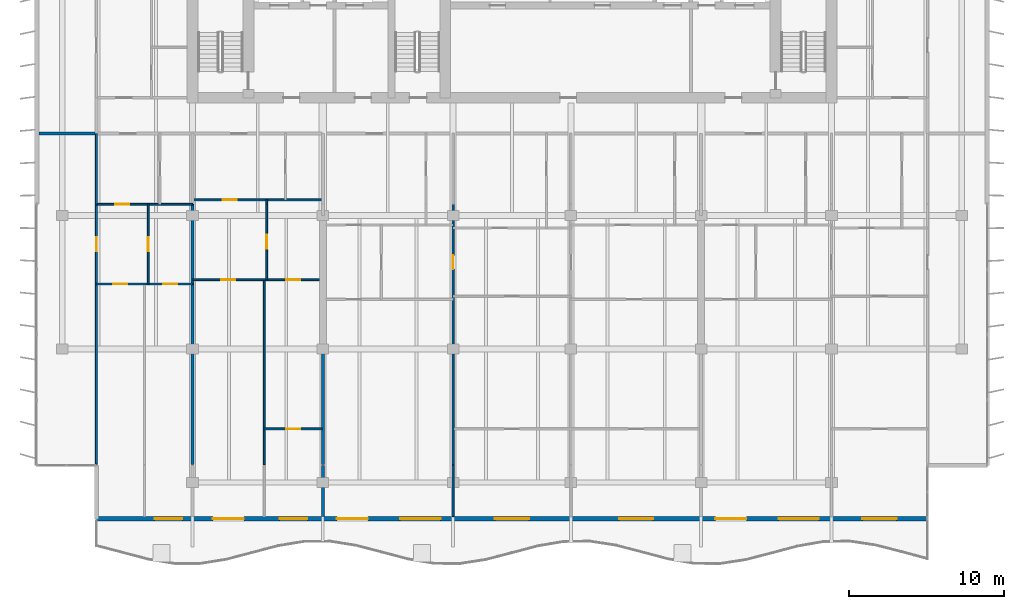
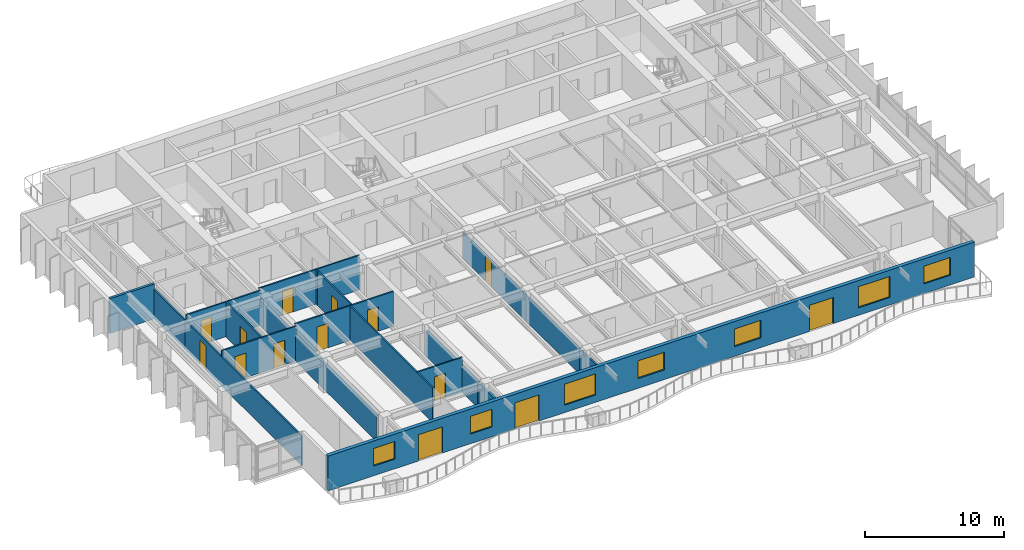
# One storey, part 6 of 16: 18 walls, 14 doors, 7 windows, 21 openings.
"""IFC4 building model written with IfcOpenShell, lengths in metres."""

from ifc_helpers import new_model, si_unit, direction, frame, frame_2d, origin, place, context, subcontext, project, spatial, rectangle, extrude, material, layer, layer_set, type_object, element, fill, save


model = new_model("IFC4")

# Units and contexts
model_context = context("Model", 3, precision=1e-05, world=origin(), true_north=direction((0.0, 1.0)))
body_context = subcontext(model_context, "Body", "Model", "MODEL_VIEW")
ifc_project = project(units=[si_unit("LENGTHUNIT", "METRE"), si_unit("AREAUNIT", "SQUARE_METRE"), si_unit("VOLUMEUNIT", "CUBIC_METRE"), si_unit("PLANEANGLEUNIT", "RADIAN"), si_unit("MASSUNIT", "GRAM", prefix="KILO")], contexts=[model_context])

# Site, building, storey
site_placement = place(None, origin())
site = spatial("IfcSite", under=ifc_project, at=site_placement, CompositionType="ELEMENT")
building_placement = place(site_placement, origin())
building = spatial("IfcBuilding", under=site, at=building_placement, Name="Caelmar Bay Residences", CompositionType="ELEMENT")
storey_placement = place(building_placement, frame((0.0, 0.0, 249.60009765625)))
storey = spatial("IfcBuildingStorey", under=building, at=storey_placement, Name="L70", CompositionType="ELEMENT", Elevation=249.60009765625)

# Wall, openings, doors, windows
ifc_material_1 = material(Name="Precast concrete f'c 40 MPa (6,000 psi)", Category="concrete")
ifc_layer_1 = layer(ifc_material_1, 0.300048828125)
ifc_layer_set_1 = layer_set([ifc_layer_1], Name="Precast concrete f'c 40 MPa (6,000 psi)")
wall_type_1 = type_object("IfcWallType", Name="W-EXT-300", PredefinedType="STANDARD", material=ifc_layer_set_1)
wall_1_placement = place(storey_placement, frame((65.699951171875, 9.85009765625, 0.0), z_axis=(0.0, 0.0, 1.0), x_axis=(-1.0, 0.0, 0.0)))
wall_1 = element("IfcWall", 1, at=wall_1_placement, inside=storey, type_object=wall_type_1, Name="L70 South Bayfront Exterior Wall", PredefinedType="STANDARD", context=body_context, shape_type="SweptSolid", body=[
    extrude(rectangle(XDim=53.599853515625, YDim=0.300048828125, at=frame_2d((26.7998046875, 0.0))), origin(), (0.0, 0.0, 1.0), 3.0498046875),
])
opening_1_placement = place(wall_1_placement, frame((48.050048828125, 0.0, 0.85009765625)))
opening_1 = element("IfcOpeningElement", 2, at=opening_1_placement, cuts=wall_1, Name="Opening WN1", PredefinedType="OPENING", context=body_context, shape_type="SweptSolid", body=[
    extrude(rectangle(XDim=1.800048828125, YDim=1.550048828125, at=frame_2d((0.89990234375, 0.77490234375))), frame((0.0, 0.159912109375, 0.0), z_axis=(0.0, -1.0, 0.0), x_axis=(1.0, 0.0, 0.0)), (0.0, 0.0, 1.0), 0.320068359375),
])
opening_2_placement = place(wall_1_placement, frame((44.090087890625, 0.0, 0.0)))
opening_2 = element("IfcOpeningElement", 3, at=opening_2_placement, cuts=wall_1, Name="Opening L70-BD01", PredefinedType="OPENING", context=body_context, shape_type="SweptSolid", body=[
    extrude(rectangle(XDim=2.0, YDim=2.300048828125, at=frame_2d((1.0, 1.14990234375))), frame((0.0, 0.159912109375, 0.0), z_axis=(0.0, -1.0, 0.0), x_axis=(1.0, 0.0, 0.0)), (0.0, 0.0, 1.0), 0.320068359375),
])
opening_3_placement = place(wall_1_placement, frame((39.989990234375, 0.0, 0.85009765625)))
opening_3 = element("IfcOpeningElement", 4, at=opening_3_placement, cuts=wall_1, Name="Opening WN1", PredefinedType="OPENING", context=body_context, shape_type="SweptSolid", body=[
    extrude(rectangle(XDim=1.800048828125, YDim=1.550048828125, at=frame_2d((0.89990234375, 0.77490234375))), frame((0.0, 0.159912109375, 0.0), z_axis=(0.0, -1.0, 0.0), x_axis=(1.0, 0.0, 0.0)), (0.0, 0.0, 1.0), 0.320068359375),
])
opening_4_placement = place(wall_1_placement, frame((36.090087890625, 0.0, 0.0)))
opening_4 = element("IfcOpeningElement", 5, at=opening_4_placement, cuts=wall_1, Name="Opening L70-BD02", PredefinedType="OPENING", context=body_context, shape_type="SweptSolid", body=[
    extrude(rectangle(XDim=2.0, YDim=2.300048828125, at=frame_2d((1.0, 1.14990234375))), frame((0.0, 0.159912109375, 0.0), z_axis=(0.0, -1.0, 0.0), x_axis=(1.0, 0.0, 0.0)), (0.0, 0.0, 1.0), 0.320068359375),
])
opening_5_placement = place(wall_1_placement, frame((31.409912109375, 0.0, 0.64990234375)))
opening_5 = element("IfcOpeningElement", 6, at=opening_5_placement, cuts=wall_1, Name="Opening WN3", PredefinedType="OPENING", context=body_context, shape_type="SweptSolid", body=[
    extrude(rectangle(XDim=2.60009765625, YDim=1.85009765625, at=frame_2d((1.300048828125, 0.925048828125))), frame((0.0, 0.159912109375, 0.0), z_axis=(0.0, -1.0, 0.0), x_axis=(1.0, 0.0, 0.0)), (0.0, 0.0, 1.0), 0.320068359375),
])
opening_6_placement = place(wall_1_placement, frame((25.699951171875, 0.0, 0.85009765625)))
opening_6 = element("IfcOpeningElement", 7, at=opening_6_placement, cuts=wall_1, Name="Opening WN2", PredefinedType="OPENING", context=body_context, shape_type="SweptSolid", body=[
    extrude(rectangle(XDim=2.199951171875, YDim=1.550048828125, at=frame_2d((1.10009765625, 0.77490234375))), frame((0.0, 0.159912109375, 0.0), z_axis=(0.0, -1.0, 0.0), x_axis=(1.0, 0.0, 0.0)), (0.0, 0.0, 1.0), 0.320068359375),
])
opening_7_placement = place(wall_1_placement, frame((17.699951171875, 0.0, 0.85009765625)))
opening_7 = element("IfcOpeningElement", 8, at=opening_7_placement, cuts=wall_1, Name="Opening WN2", PredefinedType="OPENING", context=body_context, shape_type="SweptSolid", body=[
    extrude(rectangle(XDim=2.199951171875, YDim=1.550048828125, at=frame_2d((1.10009765625, 0.77490234375))), frame((0.0, 0.159912109375, 0.0), z_axis=(0.0, -1.0, 0.0), x_axis=(1.0, 0.0, 0.0)), (0.0, 0.0, 1.0), 0.320068359375),
])
opening_8_placement = place(wall_1_placement, frame((11.68994140625, 0.0, 0.0)))
opening_8 = element("IfcOpeningElement", 9, at=opening_8_placement, cuts=wall_1, Name="Opening L70-BD03", PredefinedType="OPENING", context=body_context, shape_type="SweptSolid", body=[
    extrude(rectangle(XDim=2.0, YDim=2.300048828125, at=frame_2d((1.0, 1.14990234375))), frame((0.0, 0.159912109375, 0.0), z_axis=(0.0, -1.0, 0.0), x_axis=(1.0, 0.0, 0.0)), (0.0, 0.0, 1.0), 0.320068359375),
])
opening_9_placement = place(wall_1_placement, frame((7.010009765625, 0.0, 0.64990234375)))
opening_9 = element("IfcOpeningElement", 10, at=opening_9_placement, cuts=wall_1, Name="Opening WN3", PredefinedType="OPENING", context=body_context, shape_type="SweptSolid", body=[
    extrude(rectangle(XDim=2.60009765625, YDim=1.85009765625, at=frame_2d((1.300048828125, 0.925048828125))), frame((0.0, 0.159912109375, 0.0), z_axis=(0.0, -1.0, 0.0), x_axis=(1.0, 0.0, 0.0)), (0.0, 0.0, 1.0), 0.320068359375),
])
opening_10_placement = place(wall_1_placement, frame((2.0, 0.0, 0.85009765625)))
opening_10 = element("IfcOpeningElement", 11, at=opening_10_placement, cuts=wall_1, Name="Opening WN2", PredefinedType="OPENING", context=body_context, shape_type="SweptSolid", body=[
    extrude(rectangle(XDim=2.199951171875, YDim=1.550048828125, at=frame_2d((1.10009765625, 0.77490234375))), frame((0.0, 0.159912109375, 0.0), z_axis=(0.0, -1.0, 0.0), x_axis=(1.0, 0.0, 0.0)), (0.0, 0.0, 1.0), 0.320068359375),
])
ifc_material_2 = material(Name="Anodised bronze thermally broken sliding glass door", Category="glass")
ifc_layer_2 = layer(ifc_material_2, 0.050048828125)
ifc_layer_set_2 = layer_set([ifc_layer_2], Name="Anodised bronze thermally broken sliding glass door")
door_type_1 = type_object("IfcDoorType", Name="D-BAL-2000", OperationType="DOUBLE_DOOR_SLIDING", PredefinedType="DOOR", material=ifc_layer_set_2)
door_1_placement = place(opening_2_placement, origin())
door_1 = element("IfcDoor", 12, at=door_1_placement, inside=storey, type_object=door_type_1, Name="L70 Residence 02 Living Room Balcony Door", OperationType="DOUBLE_DOOR_SLIDING", OverallHeight=2.300048828125, OverallWidth=2.0, PredefinedType="DOOR", context=body_context, shape_type="SweptSolid", body=[
    extrude(rectangle(XDim=2.0, YDim=2.300048828125, at=frame_2d((1.0, 1.14990234375))), frame((0.0, 0.02490234375, 0.0), z_axis=(0.0, -1.0, 0.0), x_axis=(1.0, 0.0, 0.0)), (0.0, 0.0, 1.0), 0.050048828125),
])
fill(opening_2, door_1)
door_2_placement = place(opening_4_placement, origin())
door_2 = element("IfcDoor", 13, at=door_2_placement, inside=storey, type_object=door_type_1, Name="L70 Residence 03 Penthouse Living Salon Balcony Door", OperationType="DOUBLE_DOOR_SLIDING", OverallHeight=2.300048828125, OverallWidth=2.0, PredefinedType="DOOR", context=body_context, shape_type="SweptSolid", body=[
    extrude(rectangle(XDim=2.0, YDim=2.300048828125, at=frame_2d((1.0, 1.14990234375))), frame((0.0, 0.02490234375, 0.0), z_axis=(0.0, -1.0, 0.0), x_axis=(1.0, 0.0, 0.0)), (0.0, 0.0, 1.0), 0.050048828125),
])
fill(opening_4, door_2)
door_3_placement = place(opening_8_placement, origin())
door_3 = element("IfcDoor", 14, at=door_3_placement, inside=storey, type_object=door_type_1, Name="L70 Residence 04 Penthouse Living Salon Balcony Door", OperationType="DOUBLE_DOOR_SLIDING", OverallHeight=2.300048828125, OverallWidth=2.0, PredefinedType="DOOR", context=body_context, shape_type="SweptSolid", body=[
    extrude(rectangle(XDim=2.0, YDim=2.300048828125, at=frame_2d((1.0, 1.14990234375))), frame((0.0, 0.02490234375, 0.0), z_axis=(0.0, -1.0, 0.0), x_axis=(1.0, 0.0, 0.0)), (0.0, 0.0, 1.0), 0.050048828125),
])
fill(opening_8, door_3)
ifc_material_3 = material(Name="Bronze aluminium frame with laminated low-E glass", Category="aluminium")
ifc_layer_3 = layer(ifc_material_3, 0.06005859375)
ifc_layer_set_3 = layer_set([ifc_layer_3], Name="Bronze aluminium frame with laminated low-E glass")
window_type_1 = type_object("IfcWindowType", Name="WIN-BR-1800", PartitioningType="SINGLE_PANEL", PredefinedType="WINDOW", material=ifc_layer_set_3)
window_1_placement = place(opening_1_placement, origin())
window_1 = element("IfcWindow", 15, at=window_1_placement, inside=storey, type_object=window_type_1, Name="L70 Residence 01 Primary Bedroom Window", OverallHeight=1.550048828125, OverallWidth=1.800048828125, PartitioningType="SINGLE_PANEL", PredefinedType="WINDOW", context=body_context, shape_type="SweptSolid", body=[
    extrude(rectangle(XDim=1.800048828125, YDim=1.550048828125, at=frame_2d((0.89990234375, 0.77490234375))), frame((0.0, 0.030029296875, 0.0), z_axis=(0.0, -1.0, 0.0), x_axis=(1.0, 0.0, 0.0)), (0.0, 0.0, 1.0), 0.06005859375),
])
fill(opening_1, window_1)
window_2_placement = place(opening_3_placement, origin())
window_2 = element("IfcWindow", 16, at=window_2_placement, inside=storey, type_object=window_type_1, Name="L70 Residence 02 Primary Bedroom Window", OverallHeight=1.550048828125, OverallWidth=1.800048828125, PartitioningType="SINGLE_PANEL", PredefinedType="WINDOW", context=body_context, shape_type="SweptSolid", body=[
    extrude(rectangle(XDim=1.800048828125, YDim=1.550048828125, at=frame_2d((0.89990234375, 0.77490234375))), frame((0.0, 0.030029296875, 0.0), z_axis=(0.0, -1.0, 0.0), x_axis=(1.0, 0.0, 0.0)), (0.0, 0.0, 1.0), 0.06005859375),
])
fill(opening_3, window_2)
ifc_layer_4 = layer(ifc_material_3, 0.06005859375)
ifc_layer_set_4 = layer_set([ifc_layer_4], Name="Bronze aluminium frame with laminated low-E glass")
window_type_2 = type_object("IfcWindowType", Name="WIN-BR-2200", PartitioningType="SINGLE_PANEL", PredefinedType="WINDOW", material=ifc_layer_set_4)
window_3_placement = place(opening_6_placement, origin())
window_3 = element("IfcWindow", 17, at=window_3_placement, inside=storey, type_object=window_type_2, Name="L70 Residence 03 Primary Bedroom 1 Window", OverallHeight=1.550048828125, OverallWidth=2.199951171875, PartitioningType="SINGLE_PANEL", PredefinedType="WINDOW", context=body_context, shape_type="SweptSolid", body=[
    extrude(rectangle(XDim=2.199951171875, YDim=1.550048828125, at=frame_2d((1.10009765625, 0.77490234375))), frame((0.0, 0.030029296875, 0.0), z_axis=(0.0, -1.0, 0.0), x_axis=(1.0, 0.0, 0.0)), (0.0, 0.0, 1.0), 0.06005859375),
])
fill(opening_6, window_3)
window_4_placement = place(opening_7_placement, origin())
window_4 = element("IfcWindow", 18, at=window_4_placement, inside=storey, type_object=window_type_2, Name="L70 Residence 03 Primary Bedroom 2 Window", OverallHeight=1.550048828125, OverallWidth=2.199951171875, PartitioningType="SINGLE_PANEL", PredefinedType="WINDOW", context=body_context, shape_type="SweptSolid", body=[
    extrude(rectangle(XDim=2.199951171875, YDim=1.550048828125, at=frame_2d((1.10009765625, 0.77490234375))), frame((0.0, 0.030029296875, 0.0), z_axis=(0.0, -1.0, 0.0), x_axis=(1.0, 0.0, 0.0)), (0.0, 0.0, 1.0), 0.06005859375),
])
fill(opening_7, window_4)
window_5_placement = place(opening_10_placement, origin())
window_5 = element("IfcWindow", 19, at=window_5_placement, inside=storey, type_object=window_type_2, Name="L70 Residence 04 Primary Bedroom 1 Window", OverallHeight=1.550048828125, OverallWidth=2.199951171875, PartitioningType="SINGLE_PANEL", PredefinedType="WINDOW", context=body_context, shape_type="SweptSolid", body=[
    extrude(rectangle(XDim=2.199951171875, YDim=1.550048828125, at=frame_2d((1.10009765625, 0.77490234375))), frame((0.0, 0.030029296875, 0.0), z_axis=(0.0, -1.0, 0.0), x_axis=(1.0, 0.0, 0.0)), (0.0, 0.0, 1.0), 0.06005859375),
])
fill(opening_10, window_5)
ifc_layer_5 = layer(ifc_material_3, 0.06005859375)
ifc_layer_set_5 = layer_set([ifc_layer_5], Name="Bronze aluminium frame with laminated low-E glass")
window_type_3 = type_object("IfcWindowType", Name="WIN-LIV-2600", PartitioningType="SINGLE_PANEL", PredefinedType="WINDOW", material=ifc_layer_set_5)
window_6_placement = place(opening_5_placement, origin())
window_6 = element("IfcWindow", 20, at=window_6_placement, inside=storey, type_object=window_type_3, Name="L70 Residence 03 Penthouse Living Salon Panoramic Window", OverallHeight=1.85009765625, OverallWidth=2.60009765625, PartitioningType="SINGLE_PANEL", PredefinedType="WINDOW", context=body_context, shape_type="SweptSolid", body=[
    extrude(rectangle(XDim=2.60009765625, YDim=1.85009765625, at=frame_2d((1.300048828125, 0.925048828125))), frame((0.0, 0.030029296875, 0.0), z_axis=(0.0, -1.0, 0.0), x_axis=(1.0, 0.0, 0.0)), (0.0, 0.0, 1.0), 0.06005859375),
])
fill(opening_5, window_6)
window_7_placement = place(opening_9_placement, origin())
window_7 = element("IfcWindow", 21, at=window_7_placement, inside=storey, type_object=window_type_3, Name="L70 Residence 04 Penthouse Living Salon Panoramic Window", OverallHeight=1.85009765625, OverallWidth=2.60009765625, PartitioningType="SINGLE_PANEL", PredefinedType="WINDOW", context=body_context, shape_type="SweptSolid", body=[
    extrude(rectangle(XDim=2.60009765625, YDim=1.85009765625, at=frame_2d((1.300048828125, 0.925048828125))), frame((0.0, 0.030029296875, 0.0), z_axis=(0.0, -1.0, 0.0), x_axis=(1.0, 0.0, 0.0)), (0.0, 0.0, 1.0), 0.06005859375),
])
fill(opening_9, window_7)

# Wall, opening, door
ifc_material_4 = material(Name="Acoustic metal-stud gypsum partition 120 mm")
ifc_layer_6 = layer(ifc_material_4, 0.1201171875)
ifc_layer_set_6 = layer_set([ifc_layer_6], Name="Acoustic metal-stud gypsum partition 120 mm")
wall_type_2 = type_object("IfcWallType", Name="W-PRT-120", PredefinedType="PARTITIONING", material=ifc_layer_set_6)
wall_2_placement = place(storey_placement, frame((12.10009765625, 13.385009765625, 0.0), z_axis=(0.0, 0.0, 1.0), x_axis=(0.0, 1.0, 0.0)))
wall_2 = element("IfcWall", 22, at=wall_2_placement, inside=storey, type_object=wall_type_2, Name="L70 Partition Wall V001", PredefinedType="PARTITIONING", context=body_context, shape_type="SweptSolid", body=[
    extrude(rectangle(XDim=16.7548828125, YDim=0.1201171875, at=frame_2d((8.37744140625, 0.0))), origin(), (0.0, 0.0, 1.0), 2.577880859375),
])
opening_11_placement = place(wall_2_placement, frame((13.72998046875, 0.0, 0.0)))
opening_11 = element("IfcOpeningElement", 23, at=opening_11_placement, cuts=wall_2, Name="Opening D-L70-162", PredefinedType="OPENING", context=body_context, shape_type="SweptSolid", body=[
    extrude(rectangle(XDim=0.89990234375, YDim=2.14990234375, at=frame_2d((0.449951171875, 1.074951171875))), frame((0.0, 0.070068359375, 0.0), z_axis=(0.0, -1.0, 0.0), x_axis=(1.0, 0.0, 0.0)), (0.0, 0.0, 1.0), 0.14013671875),
])
ifc_material_5 = material(Name="Solid walnut timber interior door leaf and frame", Category="wood")
ifc_layer_7 = layer(ifc_material_5, 0.050048828125)
ifc_layer_set_7 = layer_set([ifc_layer_7], Name="Solid walnut timber interior door leaf and frame")
door_type_2 = type_object("IfcDoorType", Name="D-ROOM-900", OperationType="NOTDEFINED", PredefinedType="DOOR", material=ifc_layer_set_7)
door_4_placement = place(opening_11_placement, origin())
door_4 = element("IfcDoor", 24, at=door_4_placement, inside=storey, type_object=door_type_2, Name="L70 Residence 01 Penthouse West Salon Door", OperationType="SINGLE_SWING_RIGHT", OverallHeight=2.14990234375, OverallWidth=0.89990234375, PredefinedType="DOOR", context=body_context, shape_type="SweptSolid", body=[
    extrude(rectangle(XDim=0.89990234375, YDim=2.14990234375, at=frame_2d((0.449951171875, 1.074951171875))), frame((0.0, 0.02490234375, 0.0), z_axis=(0.0, -1.0, 0.0), x_axis=(1.0, 0.0, 0.0)), (0.0, 0.0, 1.0), 0.050048828125),
])
fill(opening_11, door_4)

# Wall
wall_3_placement = place(storey_placement, frame((12.10009765625, 30.14990234375, 0.0), z_axis=(0.0, 0.0, 1.0), x_axis=(0.0, 1.0, 0.0)))
element("IfcWall", 25, at=wall_3_placement, inside=storey, type_object=wall_type_2, Name="L70 Partition Wall V002", PredefinedType="PARTITIONING", context=body_context, shape_type="SweptSolid", body=[
    extrude(rectangle(XDim=4.550048828125, YDim=0.1201171875, at=frame_2d((2.27490234375, 0.0))), origin(), (0.0, 0.0, 1.0), 2.577880859375),
])

# Wall, opening, door
wall_4_placement = place(storey_placement, frame((15.447998046875, 24.989990234375, 0.0), z_axis=(0.0, 0.0, 1.0), x_axis=(0.0, 1.0, 0.0)))
wall_4 = element("IfcWall", 26, at=wall_4_placement, inside=storey, type_object=wall_type_2, Name="L70 Partition Wall V007", PredefinedType="PARTITIONING", context=body_context, shape_type="SweptSolid", body=[
    extrude(rectangle(XDim=5.14990234375, YDim=0.1201171875, at=frame_2d((2.574951171875, 0.0))), origin(), (0.0, 0.0, 1.0), 3.0498046875),
])
opening_12_placement = place(wall_4_placement, frame((2.125, 0.0, 0.0)))
opening_12 = element("IfcOpeningElement", 27, at=opening_12_placement, cuts=wall_4, Name="Opening D-L70-127", PredefinedType="OPENING", context=body_context, shape_type="SweptSolid", body=[
    extrude(rectangle(XDim=0.89990234375, YDim=2.14990234375, at=frame_2d((0.449951171875, 1.074951171875))), frame((0.0, 0.070068359375, 0.0), z_axis=(0.0, -1.0, 0.0), x_axis=(1.0, 0.0, 0.0)), (0.0, 0.0, 1.0), 0.14013671875),
])
door_5_placement = place(opening_12_placement, origin())
door_5 = element("IfcDoor", 28, at=door_5_placement, inside=storey, type_object=door_type_2, Name="L70 Residence 01 Private Meeting Room Door", OperationType="SINGLE_SWING_LEFT", OverallHeight=2.14990234375, OverallWidth=0.89990234375, PredefinedType="DOOR", context=body_context, shape_type="SweptSolid", body=[
    extrude(rectangle(XDim=0.89990234375, YDim=2.14990234375, at=frame_2d((0.449951171875, 1.074951171875))), frame((0.0, 0.02490234375, 0.0), z_axis=(0.0, -1.0, 0.0), x_axis=(1.0, 0.0, 0.0)), (0.0, 0.0, 1.0), 0.050048828125),
])
fill(opening_12, door_5)

# Wall
wall_5_placement = place(storey_placement, frame((22.919921875, 13.340087890625, 0.0), z_axis=(0.0, 0.0, 1.0), x_axis=(0.0, 1.0, 0.0)))
element("IfcWall", 29, at=wall_5_placement, inside=storey, type_object=wall_type_2, Name="L70 Partition Wall V015", PredefinedType="PARTITIONING", context=body_context, shape_type="SweptSolid", body=[
    extrude(rectangle(XDim=11.929931640625, YDim=0.1201171875, at=frame_2d((5.96484375, 0.0))), origin(), (0.0, 0.0, 1.0), 3.0498046875),
])

# Wall, opening, door
wall_6_placement = place(storey_placement, frame((23.0859375, 25.27490234375, 0.0), z_axis=(0.0, 0.0, 1.0), x_axis=(0.0, 1.0, 0.0)))
wall_6 = element("IfcWall", 30, at=wall_6_placement, inside=storey, type_object=wall_type_2, Name="L70 Partition Wall V016", PredefinedType="PARTITIONING", context=body_context, shape_type="SweptSolid", body=[
    extrude(rectangle(XDim=4.864990234375, YDim=0.1201171875, at=frame_2d((2.4326171875, 0.0))), origin(), (0.0, 0.0, 1.0), 3.0498046875),
])
opening_13_placement = place(wall_6_placement, frame((1.982421875, 0.0, 0.0)))
opening_13 = element("IfcOpeningElement", 31, at=opening_13_placement, cuts=wall_6, Name="Opening D-L70-133", PredefinedType="OPENING", context=body_context, shape_type="SweptSolid", body=[
    extrude(rectangle(XDim=0.89990234375, YDim=2.14990234375, at=frame_2d((0.449951171875, 1.074951171875))), frame((0.0, 0.070068359375, 0.0), z_axis=(0.0, -1.0, 0.0), x_axis=(1.0, 0.0, 0.0)), (0.0, 0.0, 1.0), 0.14013671875),
])
door_6_placement = place(opening_13_placement, origin())
door_6 = element("IfcDoor", 32, at=door_6_placement, inside=storey, type_object=door_type_2, Name="L70 Residence 02 Private Meeting Room Door", OperationType="SINGLE_SWING_LEFT", OverallHeight=2.14990234375, OverallWidth=0.89990234375, PredefinedType="DOOR", context=body_context, shape_type="SweptSolid", body=[
    extrude(rectangle(XDim=0.89990234375, YDim=2.14990234375, at=frame_2d((0.449951171875, 1.074951171875))), frame((0.0, 0.02490234375, 0.0), z_axis=(0.0, -1.0, 0.0), x_axis=(1.0, 0.0, 0.0)), (0.0, 0.0, 1.0), 0.050048828125),
])
fill(opening_13, door_6)

# Walls
wall_7_placement = place(storey_placement, frame((23.0859375, 30.14990234375, 0.0), z_axis=(0.0, 0.0, 1.0), x_axis=(0.0, 1.0, 0.0)))
element("IfcWall", 33, at=wall_7_placement, inside=storey, type_object=wall_type_2, Name="L70 Partition Wall V017", PredefinedType="PARTITIONING", context=body_context, shape_type="SweptSolid", body=[
    extrude(rectangle(XDim=0.27001953125, YDim=0.1201171875, at=frame_2d((0.135009765625, 0.0))), origin(), (0.0, 0.0, 1.0), 3.0498046875),
])
wall_8_placement = place(storey_placement, frame((35.10009765625, 9.9951171875, 0.0), z_axis=(0.0, 0.0, 1.0), x_axis=(0.0, 1.0, 0.0)))
element("IfcWall", 34, at=wall_8_placement, inside=storey, type_object=wall_type_2, Name="L70 Partition Wall V031", PredefinedType="PARTITIONING", context=body_context, shape_type="SweptSolid", body=[
    extrude(rectangle(XDim=3.304931640625, YDim=0.1201171875, at=frame_2d((1.65234375, 0.0))), origin(), (0.0, 0.0, 1.0), 2.262939453125),
])

# Wall, opening, door
wall_9_placement = place(storey_placement, frame((35.10009765625, 13.340087890625, 0.0), z_axis=(0.0, 0.0, 1.0), x_axis=(0.0, 1.0, 0.0)))
wall_9 = element("IfcWall", 35, at=wall_9_placement, inside=storey, type_object=wall_type_2, Name="L70 Partition Wall V032", PredefinedType="PARTITIONING", context=body_context, shape_type="SweptSolid", body=[
    extrude(rectangle(XDim=16.7998046875, YDim=0.1201171875, at=frame_2d((8.39990234375, 0.0))), origin(), (0.0, 0.0, 1.0), 2.262939453125),
])
opening_14_placement = place(wall_9_placement, frame((12.610107421875, 0.0, 0.0)))
opening_14 = element("IfcOpeningElement", 36, at=opening_14_placement, cuts=wall_9, Name="Opening D-L70-142", PredefinedType="OPENING", context=body_context, shape_type="SweptSolid", body=[
    extrude(rectangle(XDim=0.89990234375, YDim=2.14990234375, at=frame_2d((0.449951171875, 1.074951171875))), frame((0.0, 0.070068359375, 0.0), z_axis=(0.0, -1.0, 0.0), x_axis=(1.0, 0.0, 0.0)), (0.0, 0.0, 1.0), 0.14013671875),
])
door_7_placement = place(opening_14_placement, origin())
door_7 = element("IfcDoor", 37, at=door_7_placement, inside=storey, type_object=door_type_2, Name="L70 Residence 03 Conference Study 1 Door", OperationType="SINGLE_SWING_RIGHT", OverallHeight=2.14990234375, OverallWidth=0.89990234375, PredefinedType="DOOR", context=body_context, shape_type="SweptSolid", body=[
    extrude(rectangle(XDim=0.89990234375, YDim=2.14990234375, at=frame_2d((0.449951171875, 1.074951171875))), frame((0.0, 0.02490234375, 0.0), z_axis=(0.0, -1.0, 0.0), x_axis=(1.0, 0.0, 0.0)), (0.0, 0.0, 1.0), 0.050048828125),
])
fill(opening_14, door_7)

wall_10_placement = place(storey_placement, frame((22.919921875, 15.64990234375, 0.0), z_axis=(0.0, 0.0, 1.0), x_axis=(1.0, 0.0, 0.0)))
wall_10 = element("IfcWall", 38, at=wall_10_placement, inside=storey, type_object=wall_type_2, Name="L70 Partition Wall H067", PredefinedType="PARTITIONING", context=body_context, shape_type="SweptSolid", body=[
    extrude(rectangle(XDim=3.72998046875, YDim=0.1201171875, at=frame_2d((1.864990234375, 0.0))), origin(), (0.0, 0.0, 1.0), 3.0498046875),
])
opening_15_placement = place(wall_10_placement, frame((1.4150390625, 0.0, 0.0)))
opening_15 = element("IfcOpeningElement", 39, at=opening_15_placement, cuts=wall_10, Name="Opening D-L70-136", PredefinedType="OPENING", context=body_context, shape_type="SweptSolid", body=[
    extrude(rectangle(XDim=0.89990234375, YDim=2.14990234375, at=frame_2d((0.449951171875, 1.074951171875))), frame((0.0, 0.070068359375, 0.0), z_axis=(0.0, -1.0, 0.0), x_axis=(1.0, 0.0, 0.0)), (0.0, 0.0, 1.0), 0.14013671875),
])
door_8_placement = place(opening_15_placement, origin())
door_8 = element("IfcDoor", 40, at=door_8_placement, inside=storey, type_object=door_type_2, Name="L70 Residence 02 Primary Bedroom Door", OperationType="SINGLE_SWING_RIGHT", OverallHeight=2.14990234375, OverallWidth=0.89990234375, PredefinedType="DOOR", context=body_context, shape_type="SweptSolid", body=[
    extrude(rectangle(XDim=0.89990234375, YDim=2.14990234375, at=frame_2d((0.449951171875, 1.074951171875))), frame((0.0, 0.02490234375, 0.0), z_axis=(0.0, -1.0, 0.0), x_axis=(1.0, 0.0, 0.0)), (0.0, 0.0, 1.0), 0.050048828125),
])
fill(opening_15, door_8)

# Wall, openings, doors
wall_11_placement = place(storey_placement, frame((12.10009765625, 24.989990234375, 0.0), z_axis=(0.0, 0.0, 1.0), x_axis=(1.0, 0.0, 0.0)))
wall_11 = element("IfcWall", 41, at=wall_11_placement, inside=storey, type_object=wall_type_2, Name="L70 Partition Wall H075", PredefinedType="PARTITIONING", context=body_context, shape_type="SweptSolid", body=[
    extrude(rectangle(XDim=6.199951171875, YDim=0.1201171875, at=frame_2d((3.10009765625, 0.0))), origin(), (0.0, 0.0, 1.0), 3.0498046875),
])
opening_16_placement = place(wall_11_placement, frame((1.10009765625, 0.0, 0.0)))
opening_16 = element("IfcOpeningElement", 42, at=opening_16_placement, cuts=wall_11, Name="Opening D-L70-128", PredefinedType="OPENING", context=body_context, shape_type="SweptSolid", body=[
    extrude(rectangle(XDim=0.89990234375, YDim=2.14990234375, at=frame_2d((0.449951171875, 1.074951171875))), frame((0.0, 0.070068359375, 0.0), z_axis=(0.0, -1.0, 0.0), x_axis=(1.0, 0.0, 0.0)), (0.0, 0.0, 1.0), 0.14013671875),
])
opening_17_placement = place(wall_11_placement, frame((4.323974609375, 0.0, 0.0)))
opening_17 = element("IfcOpeningElement", 43, at=opening_17_placement, cuts=wall_11, Name="Opening D-L70-129", PredefinedType="OPENING", context=body_context, shape_type="SweptSolid", body=[
    extrude(rectangle(XDim=0.89990234375, YDim=2.14990234375, at=frame_2d((0.449951171875, 1.074951171875))), frame((0.0, 0.070068359375, 0.0), z_axis=(0.0, -1.0, 0.0), x_axis=(1.0, 0.0, 0.0)), (0.0, 0.0, 1.0), 0.14013671875),
])
door_9_placement = place(opening_16_placement, origin())
door_9 = element("IfcDoor", 44, at=door_9_placement, inside=storey, type_object=door_type_2, Name="L70 Residence 01 Living Room Door", OperationType="SINGLE_SWING_RIGHT", OverallHeight=2.14990234375, OverallWidth=0.89990234375, PredefinedType="DOOR", context=body_context, shape_type="SweptSolid", body=[
    extrude(rectangle(XDim=0.89990234375, YDim=2.14990234375, at=frame_2d((0.449951171875, 1.074951171875))), frame((0.0, 0.02490234375, 0.0), z_axis=(0.0, -1.0, 0.0), x_axis=(1.0, 0.0, 0.0)), (0.0, 0.0, 1.0), 0.050048828125),
])
fill(opening_16, door_9)
door_10_placement = place(opening_17_placement, origin())
door_10 = element("IfcDoor", 45, at=door_10_placement, inside=storey, type_object=door_type_2, Name="L70 Residence 01 Primary Bedroom Door", OperationType="SINGLE_SWING_LEFT", OverallHeight=2.14990234375, OverallWidth=0.89990234375, PredefinedType="DOOR", context=body_context, shape_type="SweptSolid", body=[
    extrude(rectangle(XDim=0.89990234375, YDim=2.14990234375, at=frame_2d((0.449951171875, 1.074951171875))), frame((0.0, 0.02490234375, 0.0), z_axis=(0.0, -1.0, 0.0), x_axis=(1.0, 0.0, 0.0)), (0.0, 0.0, 1.0), 0.050048828125),
])
fill(opening_17, door_10)

wall_12_placement = place(storey_placement, frame((18.300048828125, 25.27001953125, 0.0), z_axis=(0.0, 0.0, 1.0), x_axis=(1.0, 0.0, 0.0)))
wall_12 = element("IfcWall", 46, at=wall_12_placement, inside=storey, type_object=wall_type_2, Name="L70 Partition Wall H076", PredefinedType="PARTITIONING", context=body_context, shape_type="SweptSolid", body=[
    extrude(rectangle(XDim=8.179931640625, YDim=0.1201171875, at=frame_2d((4.08984375, 0.0))), origin(), (0.0, 0.0, 1.0), 3.0498046875),
])
opening_18_placement = place(wall_12_placement, frame((1.860107421875, 0.0, 0.0)))
opening_18 = element("IfcOpeningElement", 47, at=opening_18_placement, cuts=wall_12, Name="Opening D-L70-134", PredefinedType="OPENING", context=body_context, shape_type="SweptSolid", body=[
    extrude(rectangle(XDim=0.89990234375, YDim=2.14990234375, at=frame_2d((0.449951171875, 1.074951171875))), frame((0.0, 0.070068359375, 0.0), z_axis=(0.0, -1.0, 0.0), x_axis=(1.0, 0.0, 0.0)), (0.0, 0.0, 1.0), 0.14013671875),
])
opening_19_placement = place(wall_12_placement, frame((6.032958984375, 0.0, 0.0)))
opening_19 = element("IfcOpeningElement", 48, at=opening_19_placement, cuts=wall_12, Name="Opening D-L70-135", PredefinedType="OPENING", context=body_context, shape_type="SweptSolid", body=[
    extrude(rectangle(XDim=0.89990234375, YDim=2.14990234375, at=frame_2d((0.449951171875, 1.074951171875))), frame((0.0, 0.070068359375, 0.0), z_axis=(0.0, -1.0, 0.0), x_axis=(1.0, 0.0, 0.0)), (0.0, 0.0, 1.0), 0.14013671875),
])
door_11_placement = place(opening_18_placement, origin())
door_11 = element("IfcDoor", 49, at=door_11_placement, inside=storey, type_object=door_type_2, Name="L70 Residence 02 Living Room Door", OperationType="SINGLE_SWING_RIGHT", OverallHeight=2.14990234375, OverallWidth=0.89990234375, PredefinedType="DOOR", context=body_context, shape_type="SweptSolid", body=[
    extrude(rectangle(XDim=0.89990234375, YDim=2.14990234375, at=frame_2d((0.449951171875, 1.074951171875))), frame((0.0, 0.02490234375, 0.0), z_axis=(0.0, -1.0, 0.0), x_axis=(1.0, 0.0, 0.0)), (0.0, 0.0, 1.0), 0.050048828125),
])
fill(opening_18, door_11)
door_12_placement = place(opening_19_placement, origin())
door_12 = element("IfcDoor", 50, at=door_12_placement, inside=storey, type_object=door_type_2, Name="L70 Residence 02 Bedroom 2 Door", OperationType="SINGLE_SWING_LEFT", OverallHeight=2.14990234375, OverallWidth=0.89990234375, PredefinedType="DOOR", context=body_context, shape_type="SweptSolid", body=[
    extrude(rectangle(XDim=0.89990234375, YDim=2.14990234375, at=frame_2d((0.449951171875, 1.074951171875))), frame((0.0, 0.02490234375, 0.0), z_axis=(0.0, -1.0, 0.0), x_axis=(1.0, 0.0, 0.0)), (0.0, 0.0, 1.0), 0.050048828125),
])
fill(opening_19, door_12)

# Wall, opening, door
wall_13_placement = place(storey_placement, frame((12.10009765625, 30.139892578125, 0.0), z_axis=(0.0, 0.0, 1.0), x_axis=(1.0, 0.0, 0.0)))
wall_13 = element("IfcWall", 51, at=wall_13_placement, inside=storey, type_object=wall_type_2, Name="L70 Partition Wall H082", PredefinedType="PARTITIONING", context=body_context, shape_type="SweptSolid", body=[
    extrude(rectangle(XDim=6.199951171875, YDim=0.1201171875, at=frame_2d((3.10009765625, 0.0))), origin(), (0.0, 0.0, 1.0), 3.0498046875),
])
opening_20_placement = place(wall_13_placement, frame((1.22412109375, 0.0, 0.0)))
opening_20 = element("IfcOpeningElement", 52, at=opening_20_placement, cuts=wall_13, Name="Opening D-L70-126", PredefinedType="OPENING", context=body_context, shape_type="SweptSolid", body=[
    extrude(rectangle(XDim=0.89990234375, YDim=2.14990234375, at=frame_2d((0.449951171875, 1.074951171875))), frame((0.0, 0.070068359375, 0.0), z_axis=(0.0, -1.0, 0.0), x_axis=(1.0, 0.0, 0.0)), (0.0, 0.0, 1.0), 0.14013671875),
])
door_13_placement = place(opening_20_placement, origin())
door_13 = element("IfcDoor", 53, at=door_13_placement, inside=storey, type_object=door_type_2, Name="L70 Residence 01 Kitchen Door", OperationType="SINGLE_SWING_RIGHT", OverallHeight=2.14990234375, OverallWidth=0.89990234375, PredefinedType="DOOR", context=body_context, shape_type="SweptSolid", body=[
    extrude(rectangle(XDim=0.89990234375, YDim=2.14990234375, at=frame_2d((0.449951171875, 1.074951171875))), frame((0.0, 0.02490234375, 0.0), z_axis=(0.0, -1.0, 0.0), x_axis=(1.0, 0.0, 0.0)), (0.0, 0.0, 1.0), 0.050048828125),
])
fill(opening_20, door_13)

wall_14_placement = place(storey_placement, frame((18.300048828125, 30.419921875, 0.0), z_axis=(0.0, 0.0, 1.0), x_axis=(1.0, 0.0, 0.0)))
wall_14 = element("IfcWall", 54, at=wall_14_placement, inside=storey, type_object=wall_type_2, Name="L70 Partition Wall H083", PredefinedType="PARTITIONING", context=body_context, shape_type="SweptSolid", body=[
    extrude(rectangle(XDim=8.349853515625, YDim=0.1201171875, at=frame_2d((4.1748046875, 0.0))), origin(), (0.0, 0.0, 1.0), 3.0498046875),
])
opening_21_placement = place(wall_14_placement, frame((1.943115234375, 0.0, 0.0)))
opening_21 = element("IfcOpeningElement", 55, at=opening_21_placement, cuts=wall_14, Name="Opening D-L70-132", PredefinedType="OPENING", context=body_context, shape_type="SweptSolid", body=[
    extrude(rectangle(XDim=0.89990234375, YDim=2.14990234375, at=frame_2d((0.449951171875, 1.074951171875))), frame((0.0, 0.070068359375, 0.0), z_axis=(0.0, -1.0, 0.0), x_axis=(1.0, 0.0, 0.0)), (0.0, 0.0, 1.0), 0.14013671875),
])
door_14_placement = place(opening_21_placement, origin())
door_14 = element("IfcDoor", 56, at=door_14_placement, inside=storey, type_object=door_type_2, Name="L70 Residence 02 Kitchen Door", OperationType="SINGLE_SWING_RIGHT", OverallHeight=2.14990234375, OverallWidth=0.89990234375, PredefinedType="DOOR", context=body_context, shape_type="SweptSolid", body=[
    extrude(rectangle(XDim=0.89990234375, YDim=2.14990234375, at=frame_2d((0.449951171875, 1.074951171875))), frame((0.0, 0.02490234375, 0.0), z_axis=(0.0, -1.0, 0.0), x_axis=(1.0, 0.0, 0.0)), (0.0, 0.0, 1.0), 0.050048828125),
])
fill(opening_21, door_14)

# Walls
ifc_material_6 = material(Name="Acoustic twin-stud fire-rated inter-tenancy partition 200 mm")
ifc_layer_8 = layer(ifc_material_6, 0.199951171875)
ifc_layer_set_8 = layer_set([ifc_layer_8], Name="Acoustic twin-stud fire-rated inter-tenancy partition 200 mm")
wall_type_3 = type_object("IfcWallType", Name="W-PTY-200", PredefinedType="PARTITIONING", material=ifc_layer_set_8)
wall_15_placement = place(storey_placement, frame((18.300048828125, 13.340087890625, 0.0), z_axis=(0.0, 0.0, 1.0), x_axis=(0.0, 1.0, 0.0)))
element("IfcWall", 57, at=wall_15_placement, inside=storey, type_object=wall_type_3, Name="L70 Partition Wall V011", PredefinedType="PARTITIONING", context=body_context, shape_type="SweptSolid", body=[
    extrude(rectangle(XDim=16.7998046875, YDim=0.199951171875, at=frame_2d((8.39990234375, 0.0))), origin(), (0.0, 0.0, 1.0), 2.262939453125),
])
wall_16_placement = place(storey_placement, frame((26.699951171875, 9.9951171875, 0.0), z_axis=(0.0, 0.0, 1.0), x_axis=(0.0, 1.0, 0.0)))
element("IfcWall", 58, at=wall_16_placement, inside=storey, type_object=wall_type_3, Name="L70 Partition Wall V021", PredefinedType="PARTITIONING", context=body_context, shape_type="SweptSolid", body=[
    extrude(rectangle(XDim=3.304931640625, YDim=0.199951171875, at=frame_2d((1.65234375, 0.0))), origin(), (0.0, 0.0, 1.0), 2.262939453125),
])
wall_17_placement = place(storey_placement, frame((26.699951171875, 13.340087890625, 0.0), z_axis=(0.0, 0.0, 1.0), x_axis=(0.0, 1.0, 0.0)))
element("IfcWall", 59, at=wall_17_placement, inside=storey, type_object=wall_type_3, Name="L70 Partition Wall V022", PredefinedType="PARTITIONING", context=body_context, shape_type="SweptSolid", body=[
    extrude(rectangle(XDim=7.454833984375, YDim=0.199951171875, at=frame_2d((3.7275390625, 0.0))), origin(), (0.0, 0.0, 1.0), 2.262939453125),
])
wall_18_placement = place(storey_placement, frame((8.39501953125, 34.699951171875, 0.0), z_axis=(0.0, 0.0, 1.0), x_axis=(1.0, 0.0, 0.0)))
element("IfcWall", 60, at=wall_18_placement, inside=storey, type_object=wall_type_3, Name="L70 Partition Wall H084", PredefinedType="PARTITIONING", context=body_context, shape_type="SweptSolid", body=[
    extrude(rectangle(XDim=3.705078125, YDim=0.199951171875, at=frame_2d((1.8525390625, 0.0))), origin(), (0.0, 0.0, 1.0), 3.0498046875),
])

save(model, "model.ifc")
